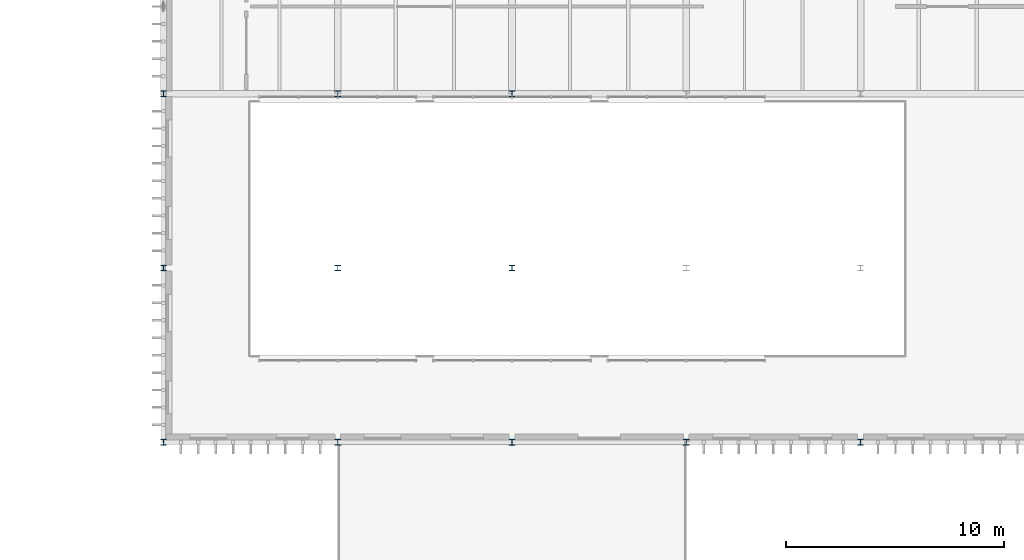
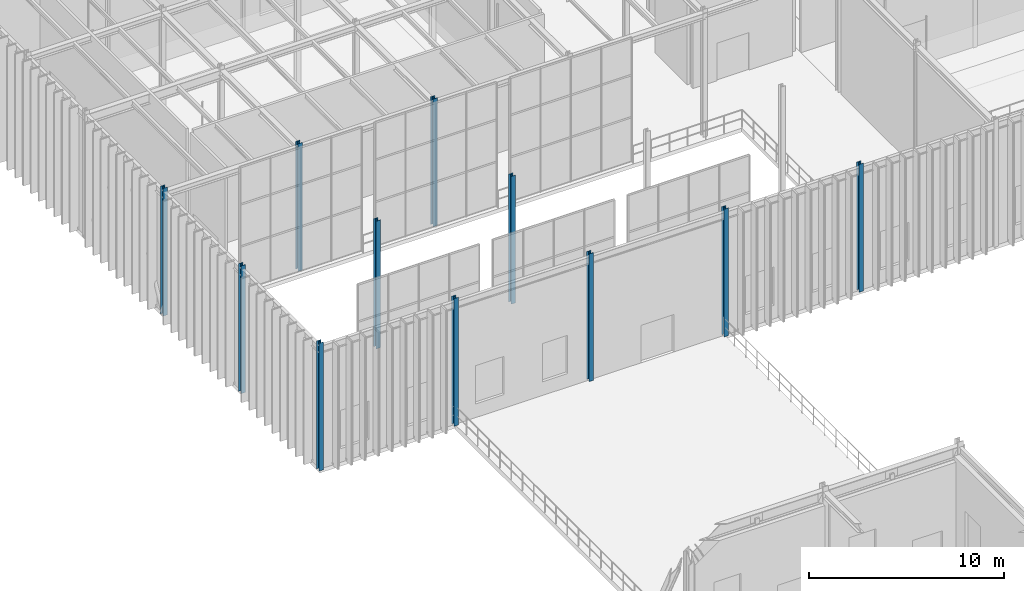
# One storey, part 7 of 138: 11 columns.
"""IFC4 building model written with IfcOpenShell, lengths in metres."""

from ifc_helpers import new_model, si_unit, direction, frame, origin, origin_2d, place, context, subcontext, project, spatial, i_section, extrude, material, material_profile, profile_set, type_object, element, save


model = new_model("IFC4")

# Units and contexts
model_context = context("Model", 3, precision=1e-05, world=origin(), true_north=direction((0.0, 1.0)))
body_context = subcontext(model_context, "Body", "Model", "MODEL_VIEW")
ifc_project = project(units=[si_unit("LENGTHUNIT", "METRE"), si_unit("AREAUNIT", "SQUARE_METRE"), si_unit("VOLUMEUNIT", "CUBIC_METRE"), si_unit("PLANEANGLEUNIT", "RADIAN"), si_unit("MASSUNIT", "GRAM", prefix="KILO")], contexts=[model_context])

# Site, building, storey
site_placement = place(None, origin())
site = spatial("IfcSite", under=ifc_project, at=site_placement, CompositionType="ELEMENT")
building_placement = place(site_placement, origin())
building = spatial("IfcBuilding", under=site, at=building_placement, Name="Sundkrona Museum", CompositionType="ELEMENT")
storey_placement = place(building_placement, frame((0.0, 0.0, 9.60009765625)))
storey = spatial("IfcBuildingStorey", under=building, at=storey_placement, Name="L02", CompositionType="ELEMENT", Elevation=9.60009765625)

# Columns
ifc_material = material(Name="Steel S355J2", Category="steel")
ifc_material_profile = material_profile(ifc_material, i_section(OverallWidth=0.260009765625, OverallDepth=0.260009765625, WebThickness=0.010009765625, FlangeThickness=0.017578125, FilletRadius=0.02392578125, at=origin_2d()), Name="HEB 260")
ifc_profile_set = profile_set([ifc_material_profile], Name="Steel S355J2")
column_type = type_object("IfcColumnType", Name="C-HEB260", PredefinedType="COLUMN", material=ifc_profile_set)
for number, where, z_axis, x_axis, name in (
    (1, (16.0, 78.0, 0.0), (0.0, 0.0, 1.0), (1.0, 0.0, 0.0), "L02 Column L/3"),
    (2, (16.0, 86.0, 0.0), (0.0, 0.0, 1.0), (1.0, 0.0, 0.0), "L02 Column M/3"),
    (3, (16.0, 94.0, 0.0), (0.0, 0.0, 1.0), (1.0, 0.0, 0.0), "L02 Column N/3"),
    (4, (24.0, 78.0, 0.0), (0.0, 0.0, 1.0), (1.0, 0.0, 0.0), "L02 Column L/4"),
    (5, (24.0, 86.0, 0.0), (0.0, 0.0, 1.0), (1.0, 0.0, 0.0), "L02 Column M/4"),
    (6, (24.0, 94.0, 0.0), (0.0, 0.0, 1.0), (1.0, 0.0, 0.0), "L02 Column N/4"),
    (7, (32.0, 78.0, 0.0), (0.0, 0.0, 1.0), (1.0, 0.0, 0.0), "L02 Column L/5"),
    (8, (32.0, 86.0, 0.0), (0.0, 0.0, 1.0), (1.0, 0.0, 0.0), "L02 Column M/5"),
    (9, (32.0, 94.0, 0.0), (0.0, 0.0, 1.0), (1.0, 0.0, 0.0), "L02 Column N/5"),
    (10, (40.0, 78.0, 0.0), (0.0, 0.0, 1.0), (1.0, 0.0, 0.0), "L02 Column L/6"),
    (11, (48.0, 78.0, 0.0), (0.0, 0.0, 1.0), (1.0, 0.0, 0.0), "L02 Column L/7"),
):
    element("IfcColumn", number, at=place(storey_placement, frame(where, z_axis=z_axis, x_axis=x_axis)), inside=storey, type_object=column_type, Name=name, PredefinedType="COLUMN", context=body_context, shape_type="SweptSolid", body=[
        extrude(i_section(OverallWidth=0.260009765625, OverallDepth=0.260009765625, WebThickness=0.010009765625, FlangeThickness=0.017578125, FilletRadius=0.02392578125, at=origin_2d()), origin(), (0.0, 0.0, 1.0), 8.0),
    ])

save(model, "model.ifc")
